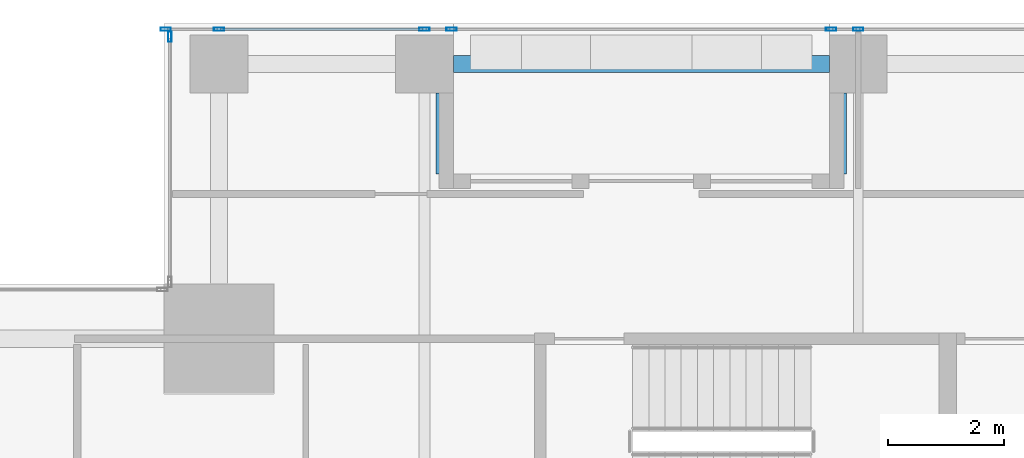
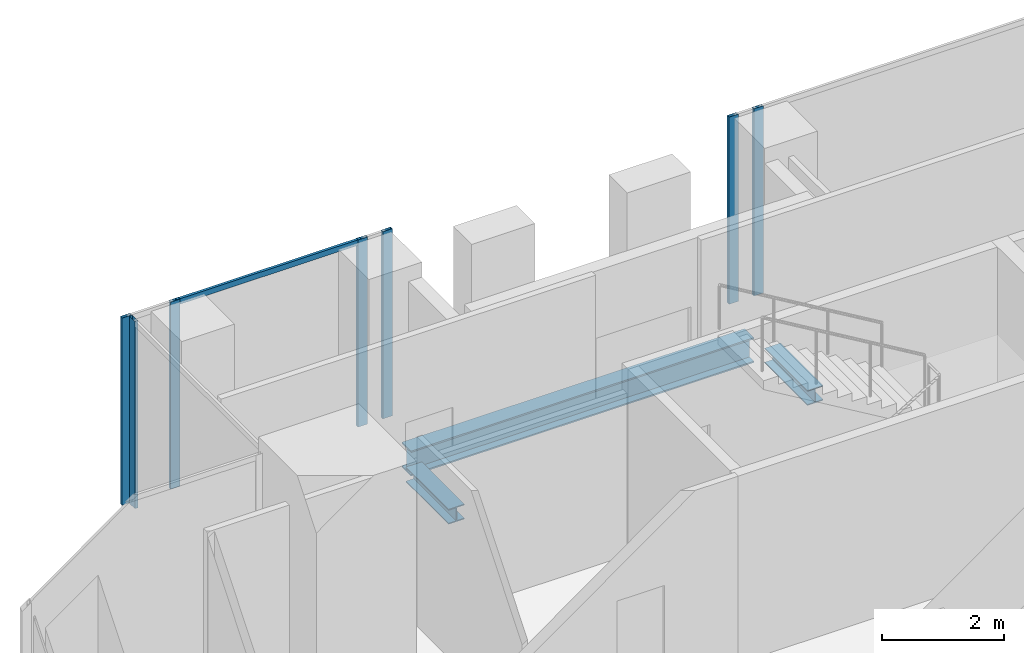
# One storey, part 19 of 38: 8 members, 3 beams, 3 elements without a shape of their own.
"""IFC4 building model written with IfcOpenShell, lengths in metres."""

from ifc_helpers import new_model, si_unit, direction, frame, origin, origin_2d, place, context, subcontext, project, spatial, hollow_rectangle, i_section, extrude, source, transform, mapped, material, material_profile, profile_set, type_object, element, aggregate, save


model = new_model("IFC4")

# Units and contexts
model_context = context("Model", 3, precision=1e-05, world=origin(), true_north=direction((0.0, 1.0)))
body_context = subcontext(model_context, "Body", "Model", "MODEL_VIEW")
ifc_project = project(units=[si_unit("LENGTHUNIT", "METRE"), si_unit("AREAUNIT", "SQUARE_METRE"), si_unit("VOLUMEUNIT", "CUBIC_METRE"), si_unit("PLANEANGLEUNIT", "RADIAN"), si_unit("MASSUNIT", "GRAM", prefix="KILO")], contexts=[model_context])

# Site, building, storey
site_placement = place(None, origin())
site = spatial("IfcSite", under=ifc_project, at=site_placement, CompositionType="ELEMENT")
building_placement = place(site_placement, origin())
building = spatial("IfcBuilding", under=site, at=building_placement, Name="Khomas Fold Tower", CompositionType="ELEMENT")
storey_placement = place(building_placement, frame((0.0, 0.0, 196.699951171875)))
storey = spatial("IfcBuildingStorey", under=building, at=storey_placement, Name="L43", CompositionType="ELEMENT", Elevation=196.699951171875)

# Beams
ifc_material_1 = material(Name="Steel S355", Category="steel")
ifc_material_profile_1 = material_profile(ifc_material_1, i_section(OverallWidth=0.300048828125, OverallDepth=0.5, WebThickness=0.014404296875, FlangeThickness=0.028076171875, at=origin_2d()), Name="HE 500 B")
ifc_profile_set_1 = profile_set([ifc_material_profile_1], Name="Steel S355")
beam_type_1 = type_object("IfcBeamType", Name="HE 500 B spandrel SB3", PredefinedType="SPANDREL", material=ifc_profile_set_1)
shared_shape_1 = source(origin(), body_context, "Body", "SweptSolid", [
    extrude(i_section(OverallWidth=0.300048828125, OverallDepth=0.5, WebThickness=0.014404296875, FlangeThickness=0.028076171875, at=origin_2d()), origin(), (0.0, 0.0, 1.0), 6.5),
])
beam_placement = place(storey_placement, frame((12.5, 50.300048828125, -0.5), z_axis=(1.0, 0.0, 0.0), x_axis=(0.0, 1.0, 0.0)))
element("IfcBeam", 1, at=beam_placement, inside=storey, type_object=beam_type_1, Name="SB3", PredefinedType="SPANDREL", context=body_context, shape_type="MappedRepresentation", body=[
    mapped(shared_shape_1, transform((0.0, 0.0, 0.0))),
])
ifc_material_2 = material(Name="Steel S355", Category="steel")
ifc_material_profile_2 = material_profile(ifc_material_2, i_section(OverallWidth=0.300048828125, OverallDepth=0.300048828125, WebThickness=0.010986328125, FlangeThickness=0.01904296875, at=origin_2d()), Name="HE 300 B")
ifc_profile_set_2 = profile_set([ifc_material_profile_2], Name="Steel S355")
beam_type_2 = type_object("IfcBeamType", Name="HE 300 B beam BB1", PredefinedType="BEAM", material=ifc_profile_set_2)
shared_shape_2 = source(origin(), body_context, "Body", "SweptSolid", [
    extrude(i_section(OverallWidth=0.300048828125, OverallDepth=0.300048828125, WebThickness=0.010986328125, FlangeThickness=0.01904296875, at=origin_2d()), origin(), (0.0, 0.0, 1.0), 1.400146484375),
])
for number, where, z_axis, x_axis, name in (
    (2, (12.35009765625, 48.39990234375, -0.39990234375), (0.0, 1.0, 0.0), (-1.0, 0.0, 0.0), "BB1"),
    (3, (19.14990234375, 48.39990234375, -0.39990234375), (0.0, 1.0, 0.0), (-1.0, 0.0, 0.0), "BB1"),
):
    element("IfcBeam", number, at=place(storey_placement, frame(where, z_axis=z_axis, x_axis=x_axis)), inside=storey, type_object=beam_type_2, Name=name, PredefinedType="BEAM", context=body_context, shape_type="MappedRepresentation", body=[
        mapped(shared_shape_2, transform((0.0, 0.0, 0.0))),
    ])

# Curtain wall, members
ifc_material_3 = material(Name="Aluminium framed double glazing", Category="aluminium")
curtain_wall_type = type_object("IfcCurtainWallType", Name="SK-Unitised clear-glass wall, office floors CW2", PredefinedType="NOTDEFINED", material=ifc_material_3)
curtain_wall_1_placement = place(storey_placement, origin())
curtain_wall_1 = element("IfcCurtainWall", 4, at=curtain_wall_1_placement, inside=storey, type_object=curtain_wall_type, Name="CW2 run L43 06-0", PredefinedType="NOTDEFINED")
ifc_material_4 = material(Name="Aluminium", Category="aluminium")
ifc_material_profile_3 = material_profile(ifc_material_4, hollow_rectangle(XDim=0.06005859375, YDim=0.179931640625, WallThickness=0.00390625, at=origin_2d()), Name="SK-Unitised clear-glass wall, office floors mullion CW2-M")
ifc_profile_set_3 = profile_set([ifc_material_profile_3], Name="Aluminium")
member_type_1 = type_object("IfcMemberType", Name="SK-Unitised clear-glass wall, office floors mullion CW2-M", PredefinedType="MULLION", material=ifc_profile_set_3)
shared_shape_3 = source(origin(), body_context, "Body", "SweptSolid", [
    extrude(hollow_rectangle(XDim=0.06005859375, YDim=0.179931640625, WallThickness=0.00390625, at=origin_2d()), origin(), (0.0, 0.0, 1.0), 3.75),
])
member_1_placement = place(storey_placement, frame((19.5, 50.89990234375, 0.0), z_axis=(0.0, 0.0, 1.0), x_axis=(0.0, -1.0, 0.0)))
member_1 = element("IfcMember", 5, at=member_1_placement, type_object=member_type_1, Name="CW2 mullion 4", PredefinedType="MULLION", context=body_context, shape_type="MappedRepresentation", body=[
    mapped(shared_shape_3, transform((0.0, 0.0, 0.0))),
])
member_2_placement = place(storey_placement, frame((19.030029296875, 50.89990234375, 0.0), z_axis=(0.0, 0.0, 1.0), x_axis=(0.0, -1.0, 0.0)))
member_2 = element("IfcMember", 6, at=member_2_placement, type_object=member_type_1, Name="CW2 mullion 5", PredefinedType="MULLION", context=body_context, shape_type="MappedRepresentation", body=[
    mapped(shared_shape_3, transform((0.0, 0.0, 0.0))),
])
aggregate(curtain_wall_1, [member_1, member_2])

curtain_wall_2_placement = place(storey_placement, origin())
curtain_wall_2 = element("IfcCurtainWall", 7, at=curtain_wall_2_placement, inside=storey, type_object=curtain_wall_type, Name="CW2 run L43 06-1", PredefinedType="NOTDEFINED")
member_3_placement = place(storey_placement, frame((12.469970703125, 50.89990234375, 0.0), z_axis=(0.0, 0.0, 1.0), x_axis=(0.0, -1.0, 0.0)))
member_3 = element("IfcMember", 8, at=member_3_placement, type_object=member_type_1, Name="CW2 mullion 1", PredefinedType="MULLION", context=body_context, shape_type="MappedRepresentation", body=[
    mapped(shared_shape_3, transform((0.0, 0.0, 0.0))),
])
member_4_placement = place(storey_placement, frame((12.0, 50.89990234375, 0.0), z_axis=(0.0, 0.0, 1.0), x_axis=(0.0, -1.0, 0.0)))
member_4 = element("IfcMember", 9, at=member_4_placement, type_object=member_type_1, Name="CW2 mullion 2", PredefinedType="MULLION", context=body_context, shape_type="MappedRepresentation", body=[
    mapped(shared_shape_3, transform((0.0, 0.0, 0.0))),
])
member_5_placement = place(storey_placement, frame((8.449951171875, 50.89990234375, 0.0), z_axis=(0.0, 0.0, 1.0), x_axis=(0.0, -1.0, 0.0)))
member_5 = element("IfcMember", 10, at=member_5_placement, type_object=member_type_1, Name="CW2 mullion 3", PredefinedType="MULLION", context=body_context, shape_type="MappedRepresentation", body=[
    mapped(shared_shape_3, transform((0.0, 0.0, 0.0))),
])
member_6_placement = place(storey_placement, frame((7.530029296875, 50.89990234375, 0.0), z_axis=(0.0, 0.0, 1.0), x_axis=(0.0, -1.0, 0.0)))
member_6 = element("IfcMember", 11, at=member_6_placement, type_object=member_type_1, Name="CW2 mullion 4", PredefinedType="MULLION", context=body_context, shape_type="MappedRepresentation", body=[
    mapped(shared_shape_3, transform((0.0, 0.0, 0.0))),
])

# Curtain wall, member
curtain_wall_3_placement = place(storey_placement, origin())
curtain_wall_3 = element("IfcCurtainWall", 12, at=curtain_wall_3_placement, inside=storey, type_object=curtain_wall_type, Name="CW2 corner return L43 07", PredefinedType="NOTDEFINED")
member_7_placement = place(storey_placement, frame((7.60009765625, 50.77001953125, 0.0), z_axis=(0.0, 0.0, 1.0), x_axis=(1.0, 0.0, 0.0)))
member_7 = element("IfcMember", 13, at=member_7_placement, type_object=member_type_1, Name="CW2 mullion 1", PredefinedType="MULLION", context=body_context, shape_type="MappedRepresentation", body=[
    mapped(shared_shape_3, transform((0.0, 0.0, 0.0))),
])
aggregate(curtain_wall_3, [member_7])

# Member
ifc_material_5 = material(Name="Aluminium", Category="aluminium")
ifc_material_profile_4 = material_profile(ifc_material_5, hollow_rectangle(XDim=0.050048828125, YDim=0.110107421875, WallThickness=0.00390625, at=origin_2d()), Name="SK-Unitised clear-glass wall, office floors transom CW2-T")
ifc_profile_set_4 = profile_set([ifc_material_profile_4], Name="Aluminium")
member_type_2 = type_object("IfcMemberType", Name="SK-Unitised clear-glass wall, office floors transom CW2-T", PredefinedType="USERDEFINED", material=ifc_profile_set_4)
shared_shape_4 = source(origin(), body_context, "Body", "SweptSolid", [
    extrude(hollow_rectangle(XDim=0.050048828125, YDim=0.110107421875, WallThickness=0.00390625, at=origin_2d()), origin(), (0.0, 0.0, 1.0), 3.489990234375),
])
member_8_placement = place(storey_placement, frame((11.969970703125, 50.89990234375, 3.695068359375), z_axis=(-1.0, 0.0, 0.0), x_axis=(0.0, -1.0, 0.0)))
member_8 = element("IfcMember", 14, at=member_8_placement, type_object=member_type_2, Name="CW2 transom 2", ObjectType="TRANSOM", PredefinedType="USERDEFINED", context=body_context, shape_type="MappedRepresentation", body=[
    mapped(shared_shape_4, transform((0.0, 0.0, 0.0))),
])

aggregate(curtain_wall_2, [member_3, member_4, member_5, member_6, member_8])

save(model, "model.ifc")
